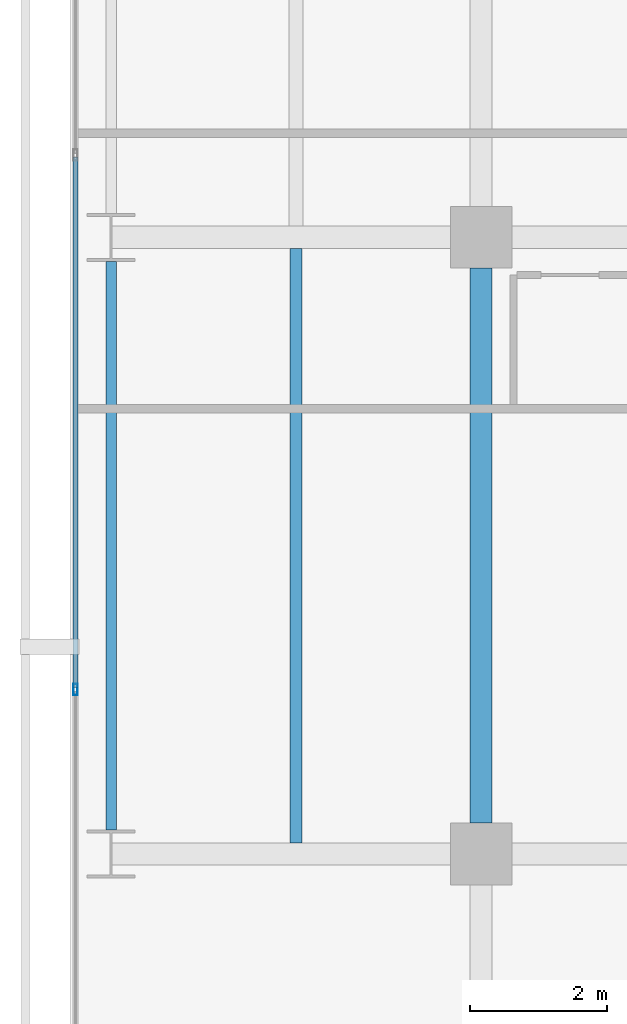
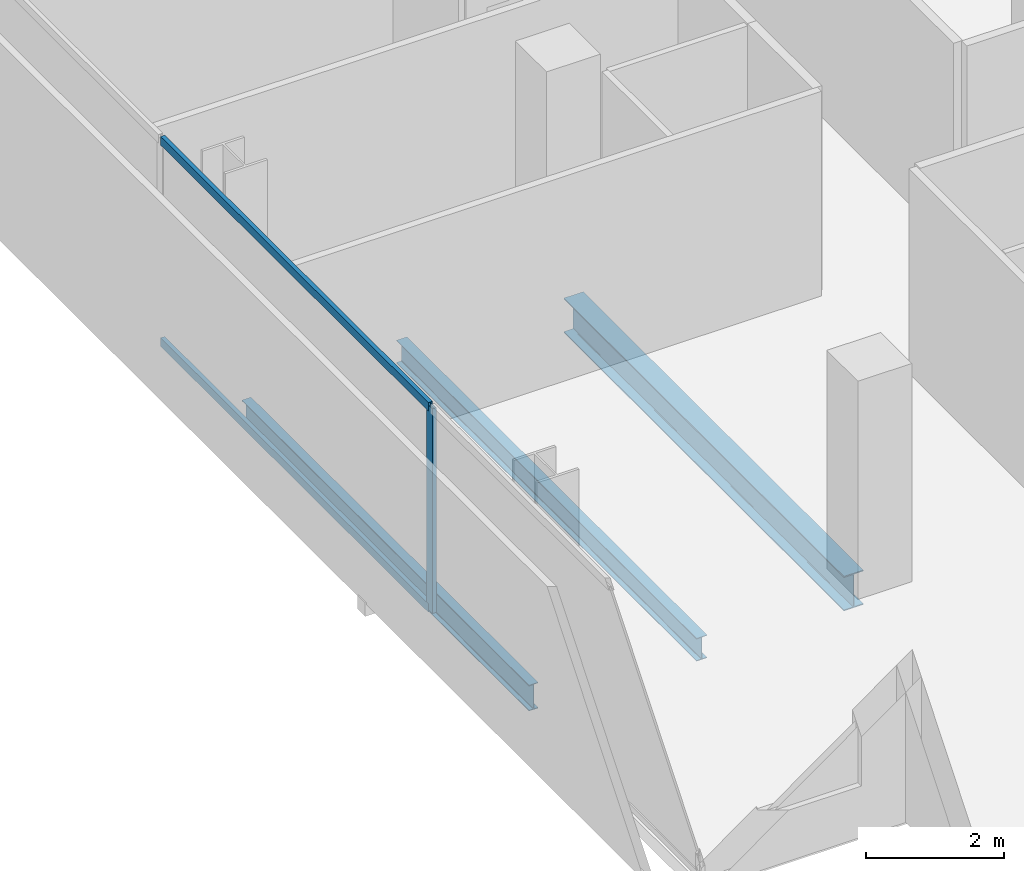
# One storey, part 5 of 40: 3 beams, 3 members, 1 element without a shape of its own.
"""IFC4 building model written with IfcOpenShell, lengths in metres."""

from ifc_helpers import new_model, si_unit, direction, frame, origin, origin_2d, place, context, subcontext, project, spatial, hollow_rectangle, i_section, extrude, material, layer, layer_set, material_profile, profile_set, type_object, element, aggregate, save


model = new_model("IFC4")

# Units and contexts
model_context = context("Model", 3, precision=1e-05, world=origin(), true_north=direction((0.0, 1.0)))
body_context = subcontext(model_context, "Body", "Model", "MODEL_VIEW")
ifc_project = project(units=[si_unit("LENGTHUNIT", "METRE"), si_unit("AREAUNIT", "SQUARE_METRE"), si_unit("VOLUMEUNIT", "CUBIC_METRE"), si_unit("PLANEANGLEUNIT", "RADIAN"), si_unit("MASSUNIT", "GRAM", prefix="KILO")], contexts=[model_context])

# Site, building, storey
site_placement = place(None, origin())
site = spatial("IfcSite", under=ifc_project, at=site_placement, CompositionType="ELEMENT")
building_placement = place(site_placement, origin())
building = spatial("IfcBuilding", under=site, at=building_placement, Name="Maruvema Waterfront Hotel and Observation Tower", CompositionType="ELEMENT")
storey_placement = place(building_placement, frame((0.0, 0.0, 80.85009765625)))
storey = spatial("IfcBuildingStorey", under=building, at=storey_placement, Name="L19", CompositionType="ELEMENT", Elevation=80.85009765625)

# Curtain wall, members
ifc_material_1 = material(Name="Anodised bronze aluminium and solar-control low-E IGU", Category="aluminium")
ifc_layer = layer(ifc_material_1, 0.159912109375, Name="Zone 1 Bronze Inner Thermal Curtain Wall System CW-02")
ifc_layer_set = layer_set([ifc_layer], Name="Anodised bronze aluminium and solar-control low-E IGU")
curtain_wall_type = type_object("IfcCurtainWallType", Name="Zone 1 Bronze Inner Thermal Curtain Wall System CW-02", PredefinedType="USERDEFINED", material=ifc_layer_set)
curtain_wall_placement = place(storey_placement, origin())
curtain_wall = element("IfcCurtainWall", 1, at=curtain_wall_placement, inside=storey, type_object=curtain_wall_type, Name="L19 Curtain Wall CW-L19-W", ObjectType="UNITISED CURTAIN WALL", PredefinedType="USERDEFINED")
ifc_material_2 = material(Name="Anodised architectural bronze aluminium", Category="aluminium")
ifc_material_profile_1 = material_profile(ifc_material_2, hollow_rectangle(XDim=0.070068359375, YDim=0.14990234375, WallThickness=0.00390625, at=origin_2d()), Name="ALU-T70x150")
ifc_profile_set_1 = profile_set([ifc_material_profile_1], Name="Anodised architectural bronze aluminium")
member_type_1 = type_object("IfcMemberType", Name="Curtain Wall Horizontal Transom ALU-T70x150", PredefinedType="USERDEFINED", material=ifc_profile_set_1)
member_1_placement = place(storey_placement, frame((10.8798828125, 19.169921875, 0.02978515625), z_axis=(0.0, -1.0, 0.0), x_axis=(1.0, 0.0, 0.0)))
member_1 = element("IfcMember", 2, at=member_1_placement, type_object=member_type_1, Name="CW-02 transom 5.1", ObjectType="TRANSOM", PredefinedType="USERDEFINED", context=body_context, shape_type="SweptSolid", body=[
    extrude(hollow_rectangle(XDim=0.070068359375, YDim=0.14990234375, WallThickness=0.00390625, at=origin_2d()), origin(), (0.0, 0.0, 1.0), 7.739990234375),
])
member_2_placement = place(storey_placement, frame((10.8798828125, 19.169921875, 3.579833984375), z_axis=(0.0, -1.0, 0.0), x_axis=(1.0, 0.0, 0.0)))
member_2 = element("IfcMember", 3, at=member_2_placement, type_object=member_type_1, Name="CW-02 transom 5.2", ObjectType="TRANSOM", PredefinedType="USERDEFINED", context=body_context, shape_type="SweptSolid", body=[
    extrude(hollow_rectangle(XDim=0.070068359375, YDim=0.14990234375, WallThickness=0.00390625, at=origin_2d()), origin(), (0.0, 0.0, 1.0), 7.739990234375),
])
ifc_material_3 = material(Name="Anodised architectural bronze aluminium", Category="aluminium")
ifc_material_profile_2 = material_profile(ifc_material_3, hollow_rectangle(XDim=0.06494140625, YDim=0.1650390625, WallThickness=0.00390625, at=origin_2d()), Name="ALU-M65x165")
ifc_profile_set_2 = profile_set([ifc_material_profile_2], Name="Anodised architectural bronze aluminium")
member_type_2 = type_object("IfcMemberType", Name="Curtain Wall Primary Mullion ALU-M65x165", PredefinedType="MULLION", material=ifc_profile_set_2)
member_3_placement = place(storey_placement, frame((10.8798828125, 11.39990234375, 0.0), z_axis=(0.0, 0.0, 1.0), x_axis=(1.0, 0.0, 0.0)))
member_3 = element("IfcMember", 4, at=member_3_placement, type_object=member_type_2, Name="CW-02 mullion 6", PredefinedType="MULLION", context=body_context, shape_type="SweptSolid", body=[
    extrude(hollow_rectangle(XDim=0.06494140625, YDim=0.1650390625, WallThickness=0.00390625, at=origin_2d()), origin(), (0.0, 0.0, 1.0), 3.60986328125),
])
aggregate(curtain_wall, [member_3, member_1, member_2])

# Beams
ifc_material_4 = material(Name="Steel ASTM A572 Grade 50", Category="steel")
ifc_material_profile_3 = material_profile(ifc_material_4, i_section(OverallWidth=0.153076171875, OverallDepth=0.455078125, WebThickness=0.008056640625, FlangeThickness=0.01318359375, FilletRadius=0.014892578125, at=origin_2d()), Name="W460x60.0")
ifc_profile_set_3 = profile_set([ifc_material_profile_3], Name="Steel ASTM A572 Grade 50")
beam_type_1 = type_object("IfcBeamType", Name="Perimeter Spandrel Beam W460x60.0", PredefinedType="SPANDREL", material=ifc_profile_set_3)
beam_1_placement = place(storey_placement, frame((11.39990234375, 9.35009765625, -0.467529296875), z_axis=(0.0, 1.0, 0.0), x_axis=(-1.0, 0.0, 0.0)))
element("IfcBeam", 5, at=beam_1_placement, inside=storey, type_object=beam_type_1, Name="L19 Floor Girder NS-01", PredefinedType="SPANDREL", context=body_context, shape_type="SweptSolid", body=[
    extrude(i_section(OverallWidth=0.153076171875, OverallDepth=0.455078125, WebThickness=0.008056640625, FlangeThickness=0.01318359375, FilletRadius=0.014892578125, at=origin_2d()), origin(), (0.0, 0.0, 1.0), 8.2998046875),
])
ifc_material_5 = material(Name="Steel ASTM A572 Grade 50", Category="steel")
ifc_material_profile_4 = material_profile(ifc_material_5, i_section(OverallWidth=0.323974609375, OverallDepth=0.611083984375, WebThickness=0.0126953125, FlangeThickness=0.01904296875, FilletRadius=0.01806640625, at=origin_2d()), Name="W610x155.0")
ifc_profile_set_4 = profile_set([ifc_material_profile_4], Name="Steel ASTM A572 Grade 50")
beam_type_2 = type_object("IfcBeamType", Name="Primary Floor Girder W610x155.0", PredefinedType="BEAM", material=ifc_profile_set_4)
beam_2_placement = place(storey_placement, frame((16.800048828125, 9.449951171875, -0.545654296875), z_axis=(0.0, 1.0, 0.0), x_axis=(-1.0, 0.0, 0.0)))
element("IfcBeam", 6, at=beam_2_placement, inside=storey, type_object=beam_type_2, Name="L19 Floor Girder NS-06", PredefinedType="BEAM", context=body_context, shape_type="SweptSolid", body=[
    extrude(i_section(OverallWidth=0.323974609375, OverallDepth=0.611083984375, WebThickness=0.0126953125, FlangeThickness=0.01904296875, FilletRadius=0.01806640625, at=origin_2d()), origin(), (0.0, 0.0, 1.0), 8.10009765625),
])
ifc_material_6 = material(Name="Steel ASTM A572 Grade 50", Category="steel")
ifc_material_profile_5 = material_profile(ifc_material_6, i_section(OverallWidth=0.177001953125, OverallDepth=0.403076171875, WebThickness=0.007568359375, FlangeThickness=0.010986328125, FilletRadius=0.014892578125, at=origin_2d()), Name="W410x53.0")
ifc_profile_set_5 = profile_set([ifc_material_profile_5], Name="Steel ASTM A572 Grade 50")
beam_type_3 = type_object("IfcBeamType", Name="Secondary Floor Joist W410x53.0", PredefinedType="JOIST", material=ifc_profile_set_5)
beam_3_placement = place(storey_placement, frame((14.10009765625, 9.162109375, -0.441650390625), z_axis=(0.0, 1.0, 0.0), x_axis=(-1.0, 0.0, 0.0)))
element("IfcBeam", 7, at=beam_3_placement, inside=storey, type_object=beam_type_3, Name="L19 Secondary Floor Joist JS-01", PredefinedType="JOIST", context=body_context, shape_type="SweptSolid", body=[
    extrude(i_section(OverallWidth=0.177001953125, OverallDepth=0.403076171875, WebThickness=0.007568359375, FlangeThickness=0.010986328125, FilletRadius=0.014892578125, at=origin_2d()), origin(), (0.0, 0.0, 1.0), 8.67578125),
])

save(model, "model.ifc")
